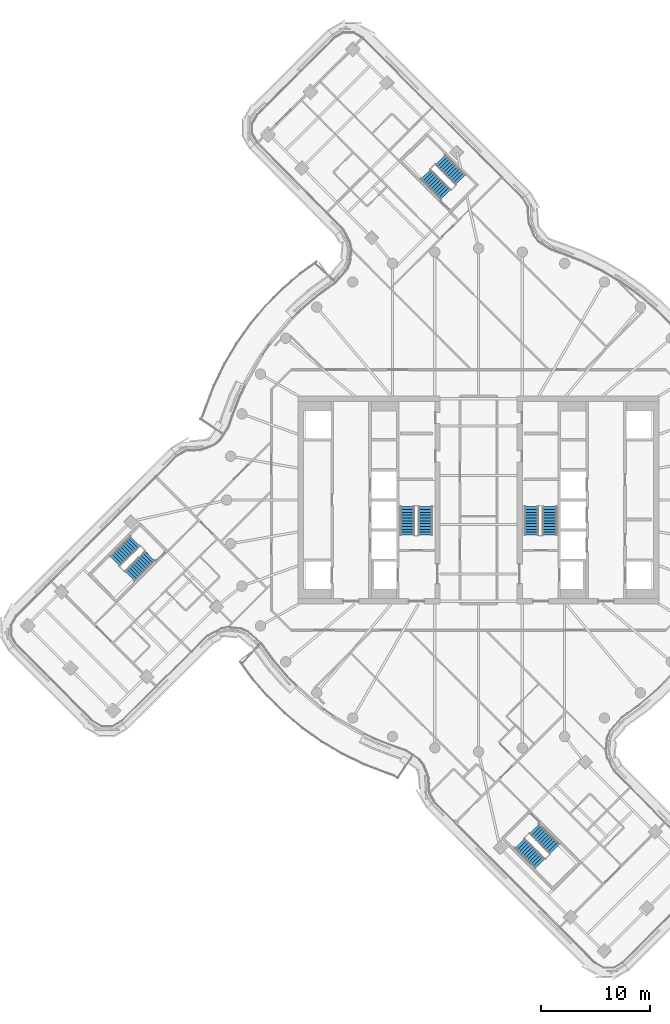
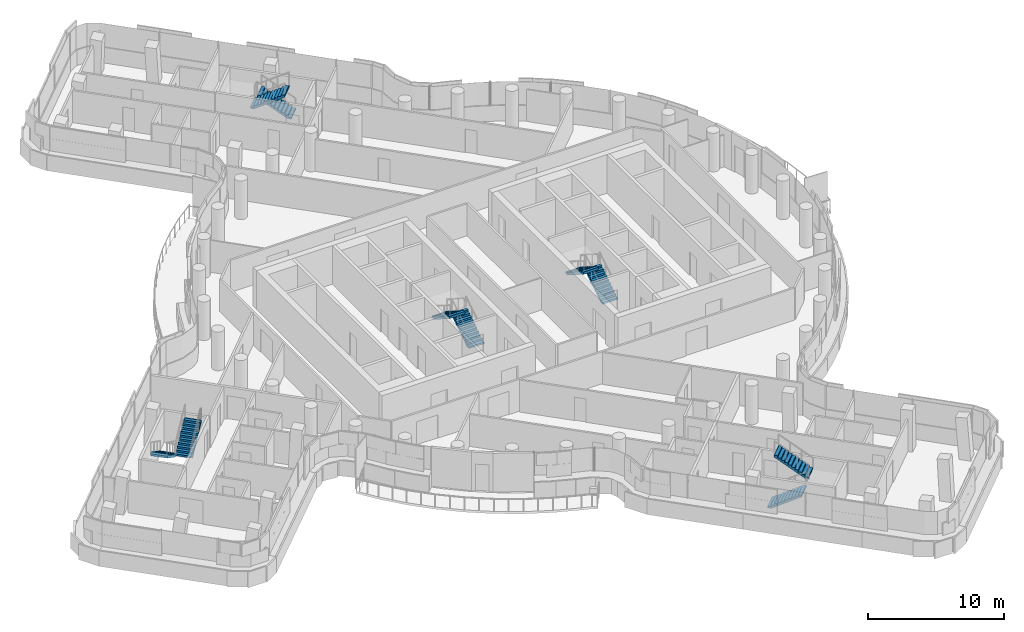
# One storey, part 23 of 31: 10 stair flights, 5 elements without a shape of their own.
"""IFC4 building model written with IfcOpenShell, lengths in metres."""

from ifc_helpers import new_model, si_unit, direction, frame, origin, place, context, subcontext, project, spatial, polyline, outline, extrude, material, type_object, element, aggregate, save


model = new_model("IFC4")

# Units and contexts
model_context = context("Model", 3, precision=1e-05, world=origin(), true_north=direction((0.0, 1.0)))
body_context = subcontext(model_context, "Body", "Model", "MODEL_VIEW")
ifc_project = project(units=[si_unit("LENGTHUNIT", "METRE"), si_unit("AREAUNIT", "SQUARE_METRE"), si_unit("VOLUMEUNIT", "CUBIC_METRE"), si_unit("PLANEANGLEUNIT", "RADIAN"), si_unit("MASSUNIT", "GRAM", prefix="KILO")], contexts=[model_context])

# Site, building, storey
site_placement = place(None, origin())
site = spatial("IfcSite", under=ifc_project, at=site_placement, CompositionType="ELEMENT")
building_placement = place(site_placement, origin())
building = spatial("IfcBuilding", under=site, at=building_placement, Name="Tamarind Cross Interchange Tower", CompositionType="ELEMENT")
storey_placement = place(building_placement, frame((0.0, 0.0, 196.89990234375)))
storey = spatial("IfcBuildingStorey", under=building, at=storey_placement, Name="L49", CompositionType="ELEMENT", Elevation=196.89990234375)

# Stair, stair flights
ifc_material_1 = material(Name="Exit stair")
stair_type = type_object("IfcStairType", Name="Exit stair", PredefinedType="HALF_TURN_STAIR", material=ifc_material_1)
stair_1_placement = place(storey_placement, origin())
stair_1 = element("IfcStair", 1, at=stair_1_placement, inside=storey, type_object=stair_type, Name="L49 exit stair ST1", PredefinedType="HALF_TURN_STAIR")
ifc_material_2 = material(Name="Exit stair flight")
stair_flight_type = type_object("IfcStairFlightType", Name="Exit stair flight", PredefinedType="STRAIGHT", material=ifc_material_2)
stair_flight_1_placement = place(storey_placement, frame((-4.85009765625, -3.199951171875, 0.0), z_axis=(0.0, 0.0, 1.0), x_axis=(0.0, 1.0, 0.0)))
stair_flight_1 = element("IfcStairFlight", 2, at=stair_flight_1_placement, type_object=stair_flight_type, Name="ST1 flight 1", NumberOfRisers=11, NumberOfTreads=10, PredefinedType="STRAIGHT", RiserHeight=0.163636364, TreadLength=0.26, context=body_context, shape_type="SweptSolid", body=[
    extrude(outline(polyline([(0.0, 0.0), (0.0, 0.16357421875), (0.260009765625, 0.16357421875), (0.260009765625, 0.327392578125), (0.52001953125, 0.327392578125), (0.52001953125, 0.490966796875), (0.780029296875, 0.490966796875), (0.780029296875, 0.654541015625), (1.0400390625, 0.654541015625), (1.0400390625, 0.818115234375), (1.300048828125, 0.818115234375), (1.300048828125, 0.98193359375), (1.56005859375, 0.98193359375), (1.56005859375, 1.1455078125), (1.820068359375, 1.1455078125), (1.820068359375, 1.30908203125), (2.080078125, 1.30908203125), (2.080078125, 1.47265625), (2.340087890625, 1.47265625), (2.340087890625, 1.636474609375), (2.60009765625, 1.636474609375), (2.60009765625, 1.800048828125), (2.60009765625, 1.459228515625), (0.281494140625, 0.0), (0.0, 0.0)])), frame((0.0, 0.64990234375, 0.0), z_axis=(0.0, -1.0, 0.0), x_axis=(1.0, 0.0, 0.0)), (0.0, 0.0, 1.0), 1.300048828125),
])
stair_flight_2_placement = place(storey_placement, frame((-6.5, -0.60009765625, 1.800048828125), z_axis=(0.0, 0.0, 1.0), x_axis=(0.0, -1.0, 0.0)))
stair_flight_2 = element("IfcStairFlight", 3, at=stair_flight_2_placement, type_object=stair_flight_type, Name="ST1 flight 2", NumberOfRisers=11, NumberOfTreads=10, PredefinedType="STRAIGHT", RiserHeight=0.163636364, TreadLength=0.26, context=body_context, shape_type="SweptSolid", body=[
    extrude(outline(polyline([(0.0, 0.0), (0.0, 0.16357421875), (0.260009765625, 0.16357421875), (0.260009765625, 0.327392578125), (0.52001953125, 0.327392578125), (0.52001953125, 0.490966796875), (0.780029296875, 0.490966796875), (0.780029296875, 0.654541015625), (1.0400390625, 0.654541015625), (1.0400390625, 0.818115234375), (1.300048828125, 0.818115234375), (1.300048828125, 0.98193359375), (1.56005859375, 0.98193359375), (1.56005859375, 1.1455078125), (1.820068359375, 1.1455078125), (1.820068359375, 1.30908203125), (2.080078125, 1.30908203125), (2.080078125, 1.47265625), (2.340087890625, 1.47265625), (2.340087890625, 1.636474609375), (2.60009765625, 1.636474609375), (2.60009765625, 1.679931640625), (2.612060546875, 1.679931640625), (2.612060546875, 1.466796875), (0.281494140625, 0.0), (0.0, 0.0)])), frame((0.0, 0.64990234375, 0.0), z_axis=(0.0, -1.0, 0.0), x_axis=(1.0, 0.0, 0.0)), (0.0, 0.0, 1.0), 1.300048828125),
])
aggregate(stair_1, [stair_flight_1, stair_flight_2])

stair_2_placement = place(storey_placement, origin())
stair_2 = element("IfcStair", 4, at=stair_2_placement, inside=storey, type_object=stair_type, Name="L49 exit stair ST2", PredefinedType="HALF_TURN_STAIR")
stair_flight_3_placement = place(storey_placement, frame((6.5, -3.199951171875, 0.0), z_axis=(0.0, 0.0, 1.0), x_axis=(0.0, 1.0, 0.0)))
stair_flight_3 = element("IfcStairFlight", 5, at=stair_flight_3_placement, type_object=stair_flight_type, Name="ST2 flight 1", NumberOfRisers=11, NumberOfTreads=10, PredefinedType="STRAIGHT", RiserHeight=0.163636364, TreadLength=0.26, context=body_context, shape_type="SweptSolid", body=[
    extrude(outline(polyline([(0.0, 0.0), (0.0, 0.16357421875), (0.260009765625, 0.16357421875), (0.260009765625, 0.327392578125), (0.52001953125, 0.327392578125), (0.52001953125, 0.490966796875), (0.780029296875, 0.490966796875), (0.780029296875, 0.654541015625), (1.0400390625, 0.654541015625), (1.0400390625, 0.818115234375), (1.300048828125, 0.818115234375), (1.300048828125, 0.98193359375), (1.56005859375, 0.98193359375), (1.56005859375, 1.1455078125), (1.820068359375, 1.1455078125), (1.820068359375, 1.30908203125), (2.080078125, 1.30908203125), (2.080078125, 1.47265625), (2.340087890625, 1.47265625), (2.340087890625, 1.636474609375), (2.60009765625, 1.636474609375), (2.60009765625, 1.800048828125), (2.60009765625, 1.459228515625), (0.281494140625, 0.0), (0.0, 0.0)])), frame((0.0, 0.64990234375, 0.0), z_axis=(0.0, -1.0, 0.0), x_axis=(1.0, 0.0, 0.0)), (0.0, 0.0, 1.0), 1.300048828125),
])
stair_flight_4_placement = place(storey_placement, frame((4.85009765625, -0.60009765625, 1.800048828125), z_axis=(0.0, 0.0, 1.0), x_axis=(0.0, -1.0, 0.0)))
stair_flight_4 = element("IfcStairFlight", 6, at=stair_flight_4_placement, type_object=stair_flight_type, Name="ST2 flight 2", NumberOfRisers=11, NumberOfTreads=10, PredefinedType="STRAIGHT", RiserHeight=0.163636364, TreadLength=0.26, context=body_context, shape_type="SweptSolid", body=[
    extrude(outline(polyline([(0.0, 0.0), (0.0, 0.16357421875), (0.260009765625, 0.16357421875), (0.260009765625, 0.327392578125), (0.52001953125, 0.327392578125), (0.52001953125, 0.490966796875), (0.780029296875, 0.490966796875), (0.780029296875, 0.654541015625), (1.0400390625, 0.654541015625), (1.0400390625, 0.818115234375), (1.300048828125, 0.818115234375), (1.300048828125, 0.98193359375), (1.56005859375, 0.98193359375), (1.56005859375, 1.1455078125), (1.820068359375, 1.1455078125), (1.820068359375, 1.30908203125), (2.080078125, 1.30908203125), (2.080078125, 1.47265625), (2.340087890625, 1.47265625), (2.340087890625, 1.636474609375), (2.60009765625, 1.636474609375), (2.60009765625, 1.679931640625), (2.612060546875, 1.679931640625), (2.612060546875, 1.466796875), (0.281494140625, 0.0), (0.0, 0.0)])), frame((0.0, 0.64990234375, 0.0), z_axis=(0.0, -1.0, 0.0), x_axis=(1.0, 0.0, 0.0)), (0.0, 0.0, 1.0), 1.300048828125),
])
aggregate(stair_2, [stair_flight_3, stair_flight_4])

stair_3_placement = place(storey_placement, origin())
stair_3 = element("IfcStair", 7, at=stair_3_placement, inside=storey, type_object=stair_type, Name="L49 exit stair ST4", PredefinedType="HALF_TURN_STAIR")
stair_flight_5_placement = place(storey_placement, frame((-1.65234375, 29.25, 0.0), z_axis=(0.0, 0.0, 1.0), x_axis=(-0.706197875304, 0.708014520272, 0.0)))
stair_flight_5 = element("IfcStairFlight", 8, at=stair_flight_5_placement, type_object=stair_flight_type, Name="ST4 flight 1", NumberOfRisers=11, NumberOfTreads=10, PredefinedType="STRAIGHT", RiserHeight=0.163636364, TreadLength=0.26, context=body_context, shape_type="SweptSolid", body=[
    extrude(outline(polyline([(0.0, 0.0), (0.0, 0.16357421875), (0.260009765625, 0.16357421875), (0.260009765625, 0.327392578125), (0.52001953125, 0.327392578125), (0.52001953125, 0.490966796875), (0.780029296875, 0.490966796875), (0.780029296875, 0.654541015625), (1.0400390625, 0.654541015625), (1.0400390625, 0.818115234375), (1.300048828125, 0.818115234375), (1.300048828125, 0.98193359375), (1.56005859375, 0.98193359375), (1.56005859375, 1.1455078125), (1.820068359375, 1.1455078125), (1.820068359375, 1.30908203125), (2.080078125, 1.30908203125), (2.080078125, 1.47265625), (2.340087890625, 1.47265625), (2.340087890625, 1.636474609375), (2.60009765625, 1.636474609375), (2.60009765625, 1.800048828125), (2.60009765625, 1.459228515625), (0.281494140625, 0.0), (0.0, 0.0)])), frame((0.0, 0.64990234375, 0.0), z_axis=(0.0, -1.0, 0.0), x_axis=(1.0, 0.0, 0.0)), (0.0, 0.0, 1.0), 1.300048828125),
])
stair_flight_6_placement = place(storey_placement, frame((-4.833740234375, 29.7490234375, 1.800048828125), z_axis=(0.0, 0.0, 1.0), x_axis=(0.706197875304, -0.708014520272, 0.0)))
stair_flight_6 = element("IfcStairFlight", 9, at=stair_flight_6_placement, type_object=stair_flight_type, Name="ST4 flight 2", NumberOfRisers=11, NumberOfTreads=10, PredefinedType="STRAIGHT", RiserHeight=0.163636364, TreadLength=0.26, context=body_context, shape_type="SweptSolid", body=[
    extrude(outline(polyline([(0.0, 0.0), (0.0, 0.16357421875), (0.260009765625, 0.16357421875), (0.260009765625, 0.327392578125), (0.52001953125, 0.327392578125), (0.52001953125, 0.490966796875), (0.780029296875, 0.490966796875), (0.780029296875, 0.654541015625), (1.0400390625, 0.654541015625), (1.0400390625, 0.818115234375), (1.300048828125, 0.818115234375), (1.300048828125, 0.98193359375), (1.56005859375, 0.98193359375), (1.56005859375, 1.1455078125), (1.820068359375, 1.1455078125), (1.820068359375, 1.30908203125), (2.080078125, 1.30908203125), (2.080078125, 1.47265625), (2.340087890625, 1.47265625), (2.340087890625, 1.636474609375), (2.60009765625, 1.636474609375), (2.60009765625, 1.679931640625), (2.612060546875, 1.679931640625), (2.612060546875, 1.466796875), (0.281494140625, 0.0), (0.0, 0.0)])), frame((0.0, 0.64990234375, 0.0), z_axis=(0.0, -1.0, 0.0), x_axis=(1.0, 0.0, 0.0)), (0.0, 0.0, 1.0), 1.300048828125),
])
aggregate(stair_3, [stair_flight_5, stair_flight_6])

stair_4_placement = place(storey_placement, origin())
stair_4 = element("IfcStair", 10, at=stair_4_placement, inside=storey, type_object=stair_type, Name="L49 exit stair ST5", PredefinedType="HALF_TURN_STAIR")
stair_flight_7_placement = place(storey_placement, frame((-31.3740234375, -3.77099609375, 0.0), z_axis=(0.0, 0.0, 1.0), x_axis=(-0.708014520272, -0.706197875304, 0.0)))
stair_flight_7 = element("IfcStairFlight", 11, at=stair_flight_7_placement, type_object=stair_flight_type, Name="ST5 flight 1", NumberOfRisers=11, NumberOfTreads=10, PredefinedType="STRAIGHT", RiserHeight=0.163636364, TreadLength=0.26, context=body_context, shape_type="SweptSolid", body=[
    extrude(outline(polyline([(0.0, 0.0), (0.0, 0.16357421875), (0.260009765625, 0.16357421875), (0.260009765625, 0.327392578125), (0.52001953125, 0.327392578125), (0.52001953125, 0.490966796875), (0.780029296875, 0.490966796875), (0.780029296875, 0.654541015625), (1.0400390625, 0.654541015625), (1.0400390625, 0.818115234375), (1.300048828125, 0.818115234375), (1.300048828125, 0.98193359375), (1.56005859375, 0.98193359375), (1.56005859375, 1.1455078125), (1.820068359375, 1.1455078125), (1.820068359375, 1.30908203125), (2.080078125, 1.30908203125), (2.080078125, 1.47265625), (2.340087890625, 1.47265625), (2.340087890625, 1.636474609375), (2.60009765625, 1.636474609375), (2.60009765625, 1.800048828125), (2.60009765625, 1.459228515625), (0.281494140625, 0.0), (0.0, 0.0)])), frame((0.0, 0.64990234375, 0.0), z_axis=(0.0, -1.0, 0.0), x_axis=(1.0, 0.0, 0.0)), (0.0, 0.0, 1.0), 1.300048828125),
])
stair_flight_8_placement = place(storey_placement, frame((-31.873046875, -6.952392578125, 1.800048828125), z_axis=(0.0, 0.0, 1.0), x_axis=(0.708014520272, 0.706197875304, 0.0)))
stair_flight_8 = element("IfcStairFlight", 12, at=stair_flight_8_placement, type_object=stair_flight_type, Name="ST5 flight 2", NumberOfRisers=11, NumberOfTreads=10, PredefinedType="STRAIGHT", RiserHeight=0.163636364, TreadLength=0.26, context=body_context, shape_type="SweptSolid", body=[
    extrude(outline(polyline([(0.0, 0.0), (0.0, 0.16357421875), (0.260009765625, 0.16357421875), (0.260009765625, 0.327392578125), (0.52001953125, 0.327392578125), (0.52001953125, 0.490966796875), (0.780029296875, 0.490966796875), (0.780029296875, 0.654541015625), (1.0400390625, 0.654541015625), (1.0400390625, 0.818115234375), (1.300048828125, 0.818115234375), (1.300048828125, 0.98193359375), (1.56005859375, 0.98193359375), (1.56005859375, 1.1455078125), (1.820068359375, 1.1455078125), (1.820068359375, 1.30908203125), (2.080078125, 1.30908203125), (2.080078125, 1.47265625), (2.340087890625, 1.47265625), (2.340087890625, 1.636474609375), (2.60009765625, 1.636474609375), (2.60009765625, 1.679931640625), (2.612060546875, 1.679931640625), (2.612060546875, 1.466796875), (0.281494140625, 0.0), (0.0, 0.0)])), frame((0.0, 0.64990234375, 0.0), z_axis=(0.0, -1.0, 0.0), x_axis=(1.0, 0.0, 0.0)), (0.0, 0.0, 1.0), 1.300048828125),
])
aggregate(stair_4, [stair_flight_7, stair_flight_8])

stair_5_placement = place(storey_placement, origin())
stair_5 = element("IfcStair", 13, at=stair_5_placement, inside=storey, type_object=stair_type, Name="L49 exit stair ST6", PredefinedType="HALF_TURN_STAIR")
stair_flight_9_placement = place(storey_placement, frame((3.77099609375, -31.3740234375, 0.0), z_axis=(0.0, 0.0, 1.0), x_axis=(0.706197875304, -0.708014520272, 0.0)))
stair_flight_9 = element("IfcStairFlight", 14, at=stair_flight_9_placement, type_object=stair_flight_type, Name="ST6 flight 1", NumberOfRisers=11, NumberOfTreads=10, PredefinedType="STRAIGHT", RiserHeight=0.163636364, TreadLength=0.26, context=body_context, shape_type="SweptSolid", body=[
    extrude(outline(polyline([(0.0, 0.0), (0.0, 0.16357421875), (0.260009765625, 0.16357421875), (0.260009765625, 0.327392578125), (0.52001953125, 0.327392578125), (0.52001953125, 0.490966796875), (0.780029296875, 0.490966796875), (0.780029296875, 0.654541015625), (1.0400390625, 0.654541015625), (1.0400390625, 0.818115234375), (1.300048828125, 0.818115234375), (1.300048828125, 0.98193359375), (1.56005859375, 0.98193359375), (1.56005859375, 1.1455078125), (1.820068359375, 1.1455078125), (1.820068359375, 1.30908203125), (2.080078125, 1.30908203125), (2.080078125, 1.47265625), (2.340087890625, 1.47265625), (2.340087890625, 1.636474609375), (2.60009765625, 1.636474609375), (2.60009765625, 1.800048828125), (2.60009765625, 1.459228515625), (0.281494140625, 0.0), (0.0, 0.0)])), frame((0.0, 0.64990234375, 0.0), z_axis=(0.0, -1.0, 0.0), x_axis=(1.0, 0.0, 0.0)), (0.0, 0.0, 1.0), 1.300048828125),
])
stair_flight_10_placement = place(storey_placement, frame((6.952392578125, -31.873046875, 1.800048828125), z_axis=(0.0, 0.0, 1.0), x_axis=(-0.706197875304, 0.708014520272, 0.0)))
stair_flight_10 = element("IfcStairFlight", 15, at=stair_flight_10_placement, type_object=stair_flight_type, Name="ST6 flight 2", NumberOfRisers=11, NumberOfTreads=10, PredefinedType="STRAIGHT", RiserHeight=0.163636364, TreadLength=0.26, context=body_context, shape_type="SweptSolid", body=[
    extrude(outline(polyline([(0.0, 0.0), (0.0, 0.16357421875), (0.260009765625, 0.16357421875), (0.260009765625, 0.327392578125), (0.52001953125, 0.327392578125), (0.52001953125, 0.490966796875), (0.780029296875, 0.490966796875), (0.780029296875, 0.654541015625), (1.0400390625, 0.654541015625), (1.0400390625, 0.818115234375), (1.300048828125, 0.818115234375), (1.300048828125, 0.98193359375), (1.56005859375, 0.98193359375), (1.56005859375, 1.1455078125), (1.820068359375, 1.1455078125), (1.820068359375, 1.30908203125), (2.080078125, 1.30908203125), (2.080078125, 1.47265625), (2.340087890625, 1.47265625), (2.340087890625, 1.636474609375), (2.60009765625, 1.636474609375), (2.60009765625, 1.679931640625), (2.612060546875, 1.679931640625), (2.612060546875, 1.466796875), (0.281494140625, 0.0), (0.0, 0.0)])), frame((0.0, 0.64990234375, 0.0), z_axis=(0.0, -1.0, 0.0), x_axis=(1.0, 0.0, 0.0)), (0.0, 0.0, 1.0), 1.300048828125),
])
aggregate(stair_5, [stair_flight_9, stair_flight_10])

save(model, "model.ifc")
